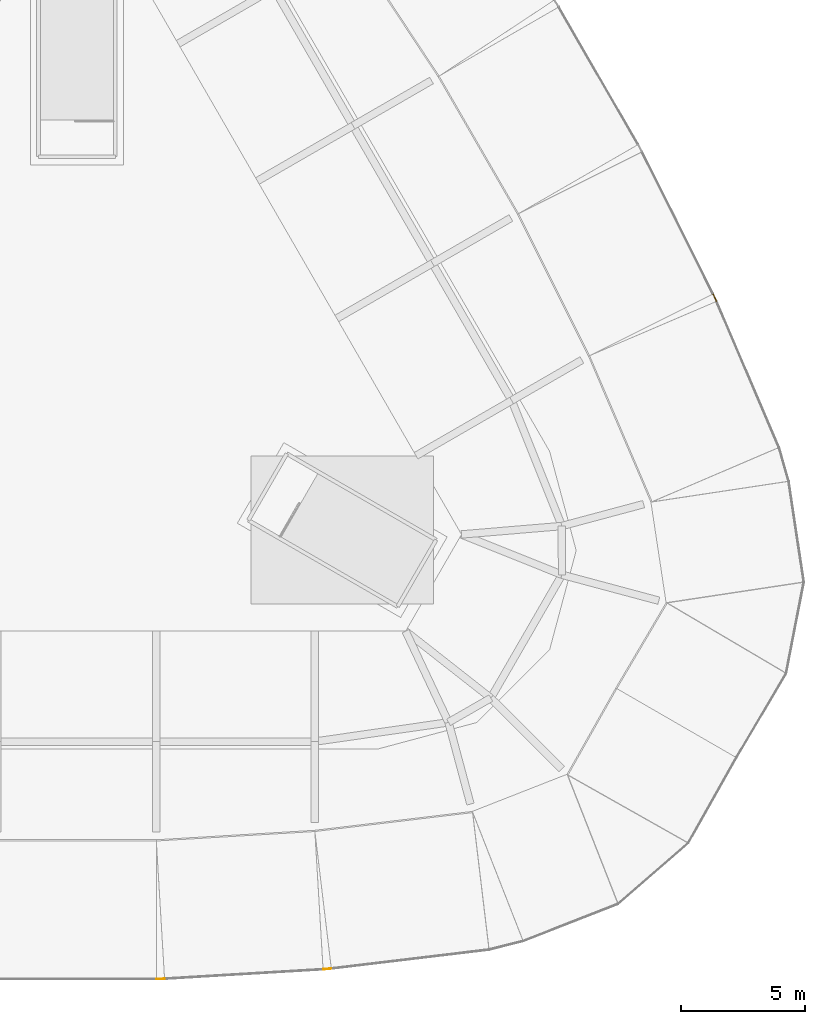
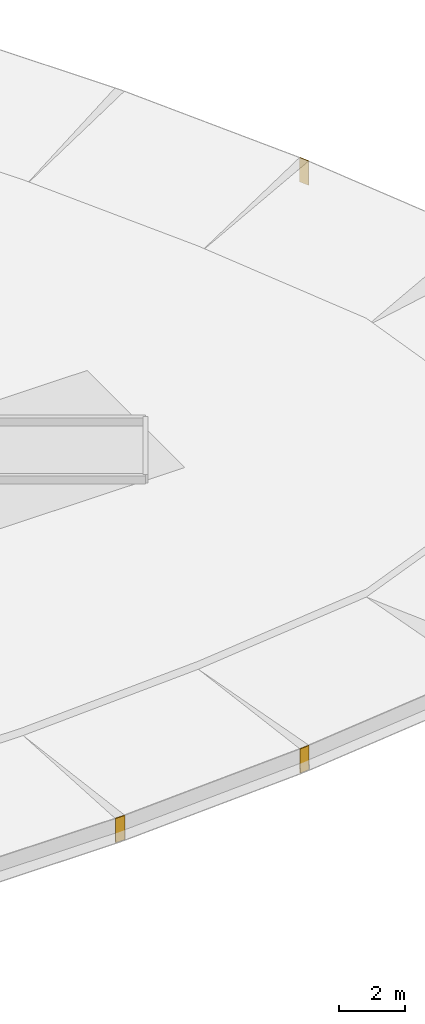
# One storey, part 7 of 9: 3 coverings.
"""IFC4 building model written with IfcOpenShell, lengths in metres."""

from ifc_helpers import new_model, si_unit, direction, frame, origin, origin_2d, place, context, subcontext, project, spatial, rectangle, extrude, material, layer, layer_set, type_object, element, save


model = new_model("IFC4")

# Units and contexts
model_context = context("Model", 3, precision=1e-05, world=origin(), true_north=direction((0.0, 1.0)))
body_context = subcontext(model_context, "Body", "Model", "MODEL_VIEW")
ifc_project = project(units=[si_unit("LENGTHUNIT", "METRE"), si_unit("AREAUNIT", "SQUARE_METRE"), si_unit("VOLUMEUNIT", "CUBIC_METRE"), si_unit("PLANEANGLEUNIT", "RADIAN"), si_unit("MASSUNIT", "GRAM", prefix="KILO")], contexts=[model_context])

# Site, building, storey
site_placement = place(None, origin())
site = spatial("IfcSite", under=ifc_project, at=site_placement, CompositionType="ELEMENT")
building_placement = place(site_placement, origin())
building = spatial("IfcBuilding", under=site, at=building_placement, Name="Mestral Congress Tower", CompositionType="ELEMENT")
storey_placement = place(building_placement, frame((0.0, 0.0, 348.60009765625)))
storey = spatial("IfcBuildingStorey", under=building, at=storey_placement, Name="L81", CompositionType="ELEMENT", Elevation=348.60009765625)

# Coverings
ifc_material = material(Name="Larch timber", Category="wood")
ifc_layer = layer(ifc_material, 0.030029296875)
ifc_layer_set = layer_set([ifc_layer], Name="Larch timber")
covering_type = type_object("IfcCoveringType", Name="Crown canopy timber fascia 30", PredefinedType="CLADDING", material=ifc_layer_set)
covering_1_placement = place(storey_placement, frame((3.366943359375, -24.26513671875, 0.320068359375), z_axis=(0.0, 0.0, 1.0), x_axis=(0.999555239875, 0.029821509661, 0.0)))
element("IfcCovering", 1, at=covering_1_placement, inside=storey, type_object=covering_type, Name="Canopy fascia 7", PredefinedType="CLADDING", context=body_context, shape_type="SweptSolid", body=[
    extrude(rectangle(XDim=0.333984375, YDim=0.030029296875, at=origin_2d()), origin(), (0.0, 0.0, 1.0), 0.89990234375),
])
covering_2_placement = place(storey_placement, frame((10.0888671875, -23.86376953125, 0.320068359375), z_axis=(0.0, 0.0, 1.0), x_axis=(0.9959981285, 0.089374090346, 0.0)))
element("IfcCovering", 2, at=covering_2_placement, inside=storey, type_object=covering_type, Name="Canopy fascia 9", PredefinedType="CLADDING", context=body_context, shape_type="SweptSolid", body=[
    extrude(rectangle(XDim=0.334228515625, YDim=0.030029296875, at=origin_2d()), origin(), (0.0, 0.0, 1.0), 0.89990234375),
])
covering_3_placement = place(storey_placement, frame((25.7109375, 3.194580078125, 0.320068359375), z_axis=(0.0, 0.0, 1.0), x_axis=(-0.420597248125, 0.907247460657, 0.0)))
element("IfcCovering", 3, at=covering_3_placement, inside=storey, type_object=covering_type, Name="Canopy fascia 21", PredefinedType="CLADDING", context=body_context, shape_type="SweptSolid", body=[
    extrude(rectangle(XDim=0.333984375, YDim=0.030029296875, at=origin_2d()), origin(), (0.0, 0.0, 1.0), 0.89990234375),
])

save(model, "model.ifc")
